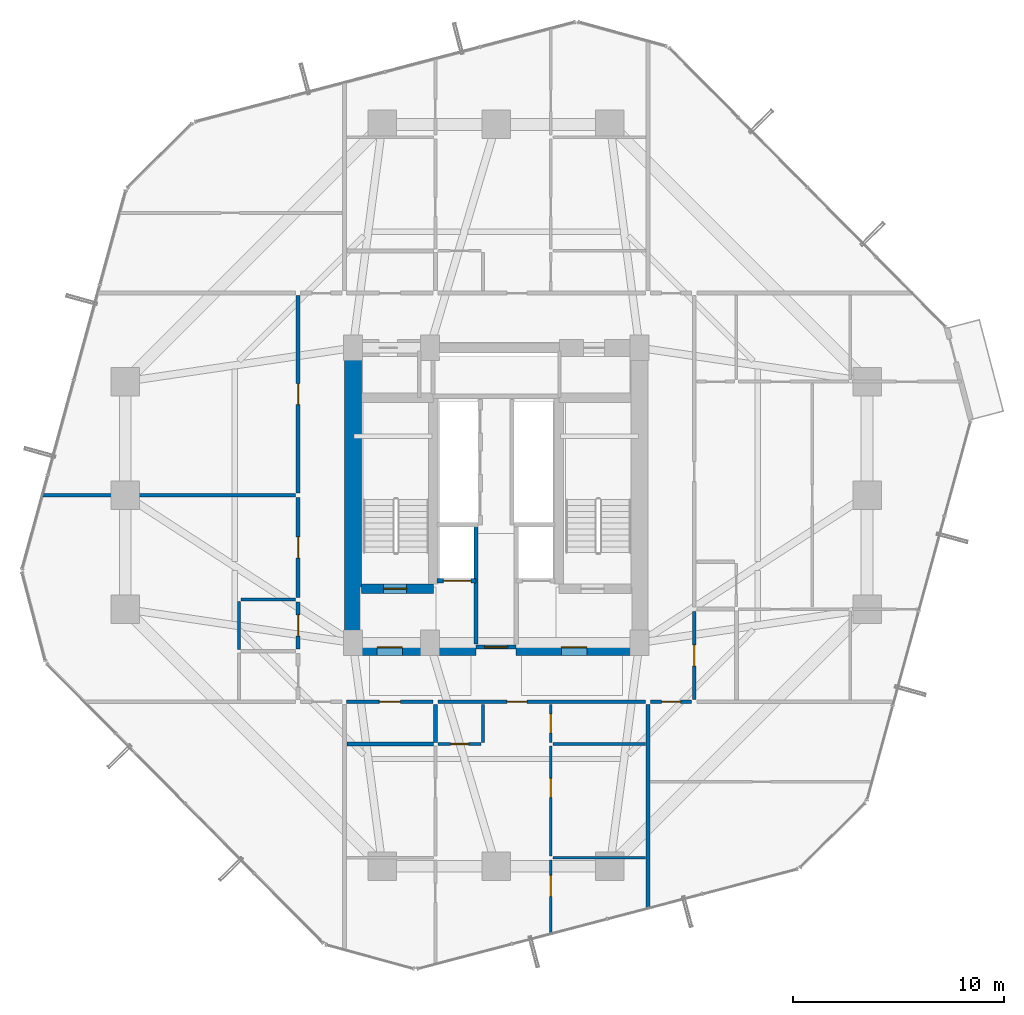
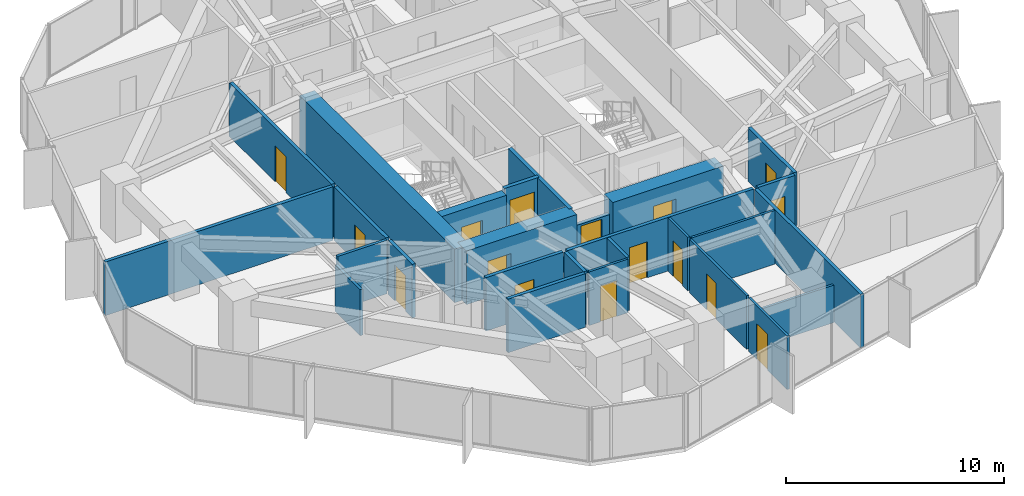
# One storey, part 34 of 39: 27 walls, 16 doors, 16 openings.
"""IFC4 building model written with IfcOpenShell, lengths in metres."""

from ifc_helpers import new_model, si_unit, direction, frame, frame_2d, origin, place, context, subcontext, project, spatial, rectangle, extrude, source, transform, mapped, material, layer, layer_set, type_object, element, fill, save


model = new_model("IFC4")

# Units and contexts
model_context = context("Model", 3, precision=1e-05, world=origin(), true_north=direction((0.0, 1.0)))
body_context = subcontext(model_context, "Body", "Model", "MODEL_VIEW")
ifc_project = project(units=[si_unit("LENGTHUNIT", "METRE"), si_unit("AREAUNIT", "SQUARE_METRE"), si_unit("VOLUMEUNIT", "CUBIC_METRE"), si_unit("PLANEANGLEUNIT", "RADIAN"), si_unit("MASSUNIT", "GRAM", prefix="KILO")], contexts=[model_context])

# Site, building, storey
site_placement = place(None, origin())
site = spatial("IfcSite", under=ifc_project, at=site_placement, CompositionType="ELEMENT")
building_placement = place(site_placement, origin())
building = spatial("IfcBuilding", under=site, at=building_placement, Name="Veraguas Prism Commons", CompositionType="ELEMENT")
storey_placement = place(building_placement, frame((0.0, 0.0, 73.85009765625)))
storey = spatial("IfcBuildingStorey", under=building, at=storey_placement, Name="L20", CompositionType="ELEMENT", Elevation=73.85009765625)

# Wall, opening, door
ifc_material_1 = material(Name="Concrete C60/75", Category="concrete")
ifc_layer_1 = layer(ifc_material_1, 0.449951171875, Name="Core Internal Shear Wall Lower RC 450", Category="concrete")
ifc_layer_set_1 = layer_set([ifc_layer_1], Name="Concrete C60/75")
wall_type_1 = type_object("IfcWallType", Name="Core Internal Shear Wall Lower RC 450", PredefinedType="SHEAR", material=ifc_layer_set_1)
wall_1_placement = place(storey_placement, frame((17.60009765625, 19.574951171875, 0.0), z_axis=(0.0, 0.0, 1.0), x_axis=(1.0, 0.0, 0.0)))
wall_1 = element("IfcWall", 1, at=wall_1_placement, inside=storey, type_object=wall_type_1, Name="Stair ST-01 South Shear Wall L20", PredefinedType="SHEAR", context=body_context, shape_type="SweptSolid", body=[
    extrude(rectangle(XDim=3.4248046875, YDim=0.449951171875, at=frame_2d((1.71240234375, 0.0))), origin(), (0.0, 0.0, 1.0), 3.0),
])
opening_1_placement = place(wall_1_placement, frame((1.050048828125, 0.0, 0.0)))
opening_1 = element("IfcOpeningElement", 2, at=opening_1_placement, cuts=wall_1, Name="Opening DR-05", PredefinedType="OPENING", context=body_context, shape_type="SweptSolid", body=[
    extrude(rectangle(XDim=1.10009765625, YDim=2.030029296875, at=frame_2d((0.550048828125, 1.01513671875))), frame((0.0, 0.23486328125, 0.0), z_axis=(0.0, -1.0, 0.0), x_axis=(1.0, 0.0, 0.0)), (0.0, 0.0, 1.0), 0.469970703125),
])
ifc_material_2 = material(Name="Steel fire-rated door assembly", Category="steel")
door_type_1 = type_object("IfcDoorType", Name="Protected Stair and Refuge Fire Door 1100x2030", OperationType="NOTDEFINED", PredefinedType="DOOR", material=ifc_material_2)
shared_shape_1 = source(origin(), body_context, "Body", "SweptSolid", [
    extrude(rectangle(XDim=1.10009765625, YDim=2.030029296875, at=frame_2d((0.550048828125, 1.01513671875))), frame((0.0, 0.02490234375, 0.0), z_axis=(0.0, -1.0, 0.0), x_axis=(1.0, 0.0, 0.0)), (0.0, 0.0, 1.0), 0.050048828125),
])
door_1_placement = place(opening_1_placement, origin())
door_1 = element("IfcDoor", 3, at=door_1_placement, inside=storey, type_object=door_type_1, Name="Stair ST-01 Enclosure Door L20", OperationType="SINGLE_SWING_RIGHT", OverallHeight=2.030029296875, OverallWidth=1.10009765625, PredefinedType="DOOR", context=body_context, shape_type="MappedRepresentation", body=[
    mapped(shared_shape_1, transform((0.0, 0.0, 0.0), scale=1.0)),
])
fill(opening_1, door_1)

# Wall
ifc_layer_2 = layer(ifc_material_1, 0.800048828125, Name="Core Outer Shear Wall Lower RC 800", Category="concrete")
ifc_layer_set_2 = layer_set([ifc_layer_2], Name="Concrete C60/75")
wall_type_2 = type_object("IfcWallType", Name="Core Outer Shear Wall Lower RC 800", PredefinedType="SHEAR", material=ifc_layer_set_2)
wall_2_placement = place(storey_placement, frame((17.199951171875, 16.800048828125, 0.0), z_axis=(0.0, 0.0, 1.0), x_axis=(0.0, 1.0, 0.0)))
element("IfcWall", 4, at=wall_2_placement, inside=storey, type_object=wall_type_2, Name="Central Core West Shear Wall L20", PredefinedType="SHEAR", context=body_context, shape_type="SweptSolid", body=[
    extrude(rectangle(XDim=14.199951171875, YDim=0.800048828125, at=frame_2d((7.10009765625, 0.0))), origin(), (0.0, 0.0, 1.0), 3.0),
])

# Wall, opening, door
wall_3_placement = place(storey_placement, frame((17.199951171875, 16.800048828125, 0.0), z_axis=(0.0, 0.0, 1.0), x_axis=(1.0, 0.0, 0.0)))
wall_3 = element("IfcWall", 5, at=wall_3_placement, inside=storey, type_object=wall_type_2, Name="Central Core South-West Shear Wall L20", PredefinedType="SHEAR", context=body_context, shape_type="SweptSolid", body=[
    extrude(rectangle(XDim=5.85009765625, YDim=0.800048828125, at=frame_2d((2.925048828125, 0.0))), origin(), (0.0, 0.0, 1.0), 3.0),
])
opening_2_placement = place(wall_3_placement, frame((1.14990234375, 0.0, 0.0)))
opening_2 = element("IfcOpeningElement", 6, at=opening_2_placement, cuts=wall_3, Name="Opening DR-06", PredefinedType="OPENING", context=body_context, shape_type="SweptSolid", body=[
    extrude(rectangle(XDim=1.199951171875, YDim=2.030029296875, at=frame_2d((0.60009765625, 1.01513671875))), frame((0.0, 0.409912109375, 0.0), z_axis=(0.0, -1.0, 0.0), x_axis=(1.0, 0.0, 0.0)), (0.0, 0.0, 1.0), 0.820068359375),
])
door_type_2 = type_object("IfcDoorType", Name="Firefighting Lobby Smoke Door 1200x2030", OperationType="NOTDEFINED", PredefinedType="DOOR", material=ifc_material_2)
shared_shape_2 = source(origin(), body_context, "Body", "SweptSolid", [
    extrude(rectangle(XDim=1.199951171875, YDim=2.030029296875, at=frame_2d((0.60009765625, 1.01513671875))), frame((0.0, 0.02490234375, 0.0), z_axis=(0.0, -1.0, 0.0), x_axis=(1.0, 0.0, 0.0)), (0.0, 0.0, 1.0), 0.050048828125),
])
door_2_placement = place(opening_2_placement, origin())
door_2 = element("IfcDoor", 7, at=door_2_placement, inside=storey, type_object=door_type_2, Name="West FF Lobby Door L20", OperationType="SINGLE_SWING_LEFT", OverallHeight=2.030029296875, OverallWidth=1.199951171875, PredefinedType="DOOR", context=body_context, shape_type="MappedRepresentation", body=[
    mapped(shared_shape_2, transform((0.0, 0.0, 0.0), scale=1.0)),
])
fill(opening_2, door_2)

wall_4_placement = place(storey_placement, frame((24.949951171875, 16.800048828125, 0.0), z_axis=(0.0, 0.0, 1.0), x_axis=(1.0, 0.0, 0.0)))
wall_4 = element("IfcWall", 8, at=wall_4_placement, inside=storey, type_object=wall_type_2, Name="Central Core South-East Shear Wall L20", PredefinedType="SHEAR", context=body_context, shape_type="SweptSolid", body=[
    extrude(rectangle(XDim=5.85009765625, YDim=0.800048828125, at=frame_2d((2.925048828125, 0.0))), origin(), (0.0, 0.0, 1.0), 3.0),
])
opening_3_placement = place(wall_4_placement, frame((2.14990234375, 0.0, 0.0)))
opening_3 = element("IfcOpeningElement", 9, at=opening_3_placement, cuts=wall_4, Name="Opening DR-06", PredefinedType="OPENING", context=body_context, shape_type="SweptSolid", body=[
    extrude(rectangle(XDim=1.199951171875, YDim=2.030029296875, at=frame_2d((0.60009765625, 1.01513671875))), frame((0.0, 0.409912109375, 0.0), z_axis=(0.0, -1.0, 0.0), x_axis=(1.0, 0.0, 0.0)), (0.0, 0.0, 1.0), 0.820068359375),
])
door_3_placement = place(opening_3_placement, origin())
door_3 = element("IfcDoor", 10, at=door_3_placement, inside=storey, type_object=door_type_2, Name="East FF Lobby Door L20", OperationType="SINGLE_SWING_LEFT", OverallHeight=2.030029296875, OverallWidth=1.199951171875, PredefinedType="DOOR", context=body_context, shape_type="MappedRepresentation", body=[
    mapped(shared_shape_2, transform((0.0, 0.0, 0.0), scale=1.0)),
])
fill(opening_3, door_3)

# Wall
ifc_material_3 = material(Name="Autoclaved aerated masonry block 10 MPa", Category="masonry")
ifc_layer_3 = layer(ifc_material_3, 0.179931640625, Name="Corridor and Inter-Tenancy Partition 180", Category="masonry")
ifc_layer_set_3 = layer_set([ifc_layer_3], Name="Autoclaved aerated masonry block 10 MPa")
wall_type_3 = type_object("IfcWallType", Name="Corridor and Inter-Tenancy Partition 180", PredefinedType="PARTITIONING", material=ifc_layer_set_3)
wall_5_placement = place(storey_placement, frame((31.199951171875, 14.080078125, 0.0), z_axis=(0.0, 0.0, 1.0), x_axis=(0.0, -1.0, 0.0)))
element("IfcWall", 11, at=wall_5_placement, inside=storey, type_object=wall_type_3, Name="WL-L20-PT002", PredefinedType="PARTITIONING", context=body_context, shape_type="SweptSolid", body=[
    extrude(rectangle(XDim=9.710205078125, YDim=0.179931640625, at=frame_2d((4.85498046875, 0.0))), origin(), (0.0, 0.0, 1.0), 3.0),
])

# Wall, opening, door
wall_6_placement = place(storey_placement, frame((16.909912109375, 14.199951171875, 0.0), z_axis=(0.0, 0.0, 1.0), x_axis=(1.0, 0.0, 0.0)))
wall_6 = element("IfcWall", 12, at=wall_6_placement, inside=storey, type_object=wall_type_3, Name="WL-L20-PT003", PredefinedType="PARTITIONING", context=body_context, shape_type="SweptSolid", body=[
    extrude(rectangle(XDim=4.10009765625, YDim=0.179931640625, at=frame_2d((2.050048828125, 0.0))), origin(), (0.0, 0.0, 1.0), 3.0),
])
opening_4_placement = place(wall_6_placement, frame((1.550048828125, 0.0, 0.0)))
opening_4 = element("IfcOpeningElement", 13, at=opening_4_placement, cuts=wall_6, Name="Opening DR-13", PredefinedType="OPENING", context=body_context, shape_type="SweptSolid", body=[
    extrude(rectangle(XDim=1.0, YDim=2.010009765625, at=frame_2d((0.5, 1.0048828125))), frame((0.0, 0.099853515625, 0.0), z_axis=(0.0, -1.0, 0.0), x_axis=(1.0, 0.0, 0.0)), (0.0, 0.0, 1.0), 0.199951171875),
])
door_type_3 = type_object("IfcDoorType", Name="Core Accessible WC and Clinic Fire Door 1000x2010", OperationType="NOTDEFINED", PredefinedType="DOOR", material=ifc_material_2)
shared_shape_3 = source(origin(), body_context, "Body", "SweptSolid", [
    extrude(rectangle(XDim=1.0, YDim=2.010009765625, at=frame_2d((0.5, 1.0048828125))), frame((0.0, 0.02490234375, 0.0), z_axis=(0.0, -1.0, 0.0), x_axis=(1.0, 0.0, 0.0)), (0.0, 0.0, 1.0), 0.050048828125),
])
door_4_placement = place(opening_4_placement, origin())
door_4 = element("IfcDoor", 14, at=door_4_placement, inside=storey, type_object=door_type_3, Name="Residents Study Alcove 20A Door", OperationType="SINGLE_SWING_RIGHT", OverallHeight=2.010009765625, OverallWidth=1.0, PredefinedType="DOOR", context=body_context, shape_type="MappedRepresentation", body=[
    mapped(shared_shape_3, transform((0.0, 0.0, 0.0), scale=1.0)),
])
fill(opening_4, door_4)

wall_7_placement = place(storey_placement, frame((21.22998046875, 14.199951171875, 0.0), z_axis=(0.0, 0.0, 1.0), x_axis=(1.0, 0.0, 0.0)))
wall_7 = element("IfcWall", 15, at=wall_7_placement, inside=storey, type_object=wall_type_3, Name="WL-L20-PT004", PredefinedType="PARTITIONING", context=body_context, shape_type="SweptSolid", body=[
    extrude(rectangle(XDim=9.860107421875, YDim=0.179931640625, at=frame_2d((4.93017578125, 0.0))), origin(), (0.0, 0.0, 1.0), 3.0),
])
opening_5_placement = place(wall_7_placement, frame((3.27587890625, 0.0, 0.0)))
opening_5 = element("IfcOpeningElement", 16, at=opening_5_placement, cuts=wall_7, Name="Opening DR-01", PredefinedType="OPENING", context=body_context, shape_type="SweptSolid", body=[
    extrude(rectangle(XDim=0.949951171875, YDim=2.02001953125, at=frame_2d((0.47509765625, 1.010009765625))), frame((0.0, 0.099853515625, 0.0), z_axis=(0.0, -1.0, 0.0), x_axis=(1.0, 0.0, 0.0)), (0.0, 0.0, 1.0), 0.199951171875),
])
ifc_material_4 = material(Name="Anodised aluminium EN AW-6063 T6", Category="aluminium")
door_type_4 = type_object("IfcDoorType", Name="Apartment Entrance Fire Door 950x2020", OperationType="NOTDEFINED", PredefinedType="DOOR", material=ifc_material_4)
shared_shape_4 = source(origin(), body_context, "Body", "SweptSolid", [
    extrude(rectangle(XDim=0.949951171875, YDim=2.02001953125, at=frame_2d((0.47509765625, 1.010009765625))), frame((0.0, 0.02490234375, 0.0), z_axis=(0.0, -1.0, 0.0), x_axis=(1.0, 0.0, 0.0)), (0.0, 0.0, 1.0), 0.050048828125),
])
door_5_placement = place(opening_5_placement, origin())
door_5 = element("IfcDoor", 17, at=door_5_placement, inside=storey, type_object=door_type_4, Name="Flat 20A Entrance Door", OperationType="SINGLE_SWING_LEFT", OverallHeight=2.02001953125, OverallWidth=0.949951171875, PredefinedType="DOOR", context=body_context, shape_type="MappedRepresentation", body=[
    mapped(shared_shape_4, transform((0.0, 0.0, 0.0), scale=1.0)),
])
fill(opening_5, door_5)

# Walls
wall_8_placement = place(storey_placement, frame((16.919921875, 12.199951171875, 0.0), z_axis=(0.0, 0.0, 1.0), x_axis=(1.0, 0.0, 0.0)))
element("IfcWall", 18, at=wall_8_placement, inside=storey, type_object=wall_type_3, Name="WL-L20-PT009", PredefinedType="PARTITIONING", context=body_context, shape_type="SweptSolid", body=[
    extrude(rectangle(XDim=4.10009765625, YDim=0.179931640625, at=frame_2d((2.050048828125, 0.0))), origin(), (0.0, 0.0, 1.0), 3.0),
])
wall_9_placement = place(storey_placement, frame((21.1201171875, 14.080078125, 0.0), z_axis=(0.0, 0.0, 1.0), x_axis=(0.0, -1.0, 0.0)))
element("IfcWall", 19, at=wall_9_placement, inside=storey, type_object=wall_type_3, Name="WL-L20-PT010", PredefinedType="PARTITIONING", context=body_context, shape_type="SweptSolid", body=[
    extrude(rectangle(XDim=1.800048828125, YDim=0.179931640625, at=frame_2d((0.89990234375, 0.0))), origin(), (0.0, 0.0, 1.0), 3.0),
])

# Wall, opening, door
wall_10_placement = place(storey_placement, frame((14.60009765625, 16.7099609375, 0.0), z_axis=(0.0, 0.0, 1.0), x_axis=(0.0, 1.0, 0.0)))
wall_10 = element("IfcWall", 20, at=wall_10_placement, inside=storey, type_object=wall_type_3, Name="WL-L20-PT036", PredefinedType="PARTITIONING", context=body_context, shape_type="SweptSolid", body=[
    extrude(rectangle(XDim=2.22998046875, YDim=0.179931640625, at=frame_2d((1.114990234375, 0.0))), origin(), (0.0, 0.0, 1.0), 3.0),
])
opening_6_placement = place(wall_10_placement, frame((0.614990234375, 0.0, 0.0)))
opening_6 = element("IfcOpeningElement", 21, at=opening_6_placement, cuts=wall_10, Name="Opening DR-13", PredefinedType="OPENING", context=body_context, shape_type="SweptSolid", body=[
    extrude(rectangle(XDim=1.0, YDim=2.010009765625, at=frame_2d((0.5, 1.0048828125))), frame((0.0, 0.099853515625, 0.0), z_axis=(0.0, -1.0, 0.0), x_axis=(1.0, 0.0, 0.0)), (0.0, 0.0, 1.0), 0.199951171875),
])
door_6_placement = place(opening_6_placement, origin())
door_6 = element("IfcDoor", 22, at=door_6_placement, inside=storey, type_object=door_type_3, Name="Accessible WC L20 Door", OperationType="SINGLE_SWING_LEFT", OverallHeight=2.010009765625, OverallWidth=1.0, PredefinedType="DOOR", context=body_context, shape_type="MappedRepresentation", body=[
    mapped(shared_shape_3, transform((0.0, 0.0, 0.0), scale=1.0)),
])
fill(opening_6, door_6)

wall_11_placement = place(storey_placement, frame((14.60009765625, 19.159912109375, 0.0), z_axis=(0.0, 0.0, 1.0), x_axis=(0.0, 1.0, 0.0)))
wall_11 = element("IfcWall", 23, at=wall_11_placement, inside=storey, type_object=wall_type_3, Name="WL-L20-PT037", PredefinedType="PARTITIONING", context=body_context, shape_type="SweptSolid", body=[
    extrude(rectangle(XDim=4.72998046875, YDim=0.179931640625, at=frame_2d((2.364990234375, 0.0))), origin(), (0.0, 0.0, 1.0), 3.0),
])
opening_7_placement = place(wall_11_placement, frame((1.864990234375, 0.0, 0.0)))
opening_7 = element("IfcOpeningElement", 24, at=opening_7_placement, cuts=wall_11, Name="Opening DR-13", PredefinedType="OPENING", context=body_context, shape_type="SweptSolid", body=[
    extrude(rectangle(XDim=1.0, YDim=2.010009765625, at=frame_2d((0.5, 1.0048828125))), frame((0.0, 0.099853515625, 0.0), z_axis=(0.0, -1.0, 0.0), x_axis=(1.0, 0.0, 0.0)), (0.0, 0.0, 1.0), 0.199951171875),
])
door_7_placement = place(opening_7_placement, origin())
door_7 = element("IfcDoor", 25, at=door_7_placement, inside=storey, type_object=door_type_3, Name="Quiet Study L20 Door", OperationType="SINGLE_SWING_RIGHT", OverallHeight=2.010009765625, OverallWidth=1.0, PredefinedType="DOOR", context=body_context, shape_type="MappedRepresentation", body=[
    mapped(shared_shape_3, transform((0.0, 0.0, 0.0), scale=1.0)),
])
fill(opening_7, door_7)

wall_12_placement = place(storey_placement, frame((14.60009765625, 24.110107421875, 0.0), z_axis=(0.0, 0.0, 1.0), x_axis=(0.0, 1.0, 0.0)))
wall_12 = element("IfcWall", 26, at=wall_12_placement, inside=storey, type_object=wall_type_3, Name="WL-L20-PT038", PredefinedType="PARTITIONING", context=body_context, shape_type="SweptSolid", body=[
    extrude(rectangle(XDim=9.3798828125, YDim=0.179931640625, at=frame_2d((4.68994140625, 0.0))), origin(), (0.0, 0.0, 1.0), 3.0),
])
opening_8_placement = place(wall_12_placement, frame((4.18994140625, 0.0, 0.0)))
opening_8 = element("IfcOpeningElement", 27, at=opening_8_placement, cuts=wall_12, Name="Opening DR-13", PredefinedType="OPENING", context=body_context, shape_type="SweptSolid", body=[
    extrude(rectangle(XDim=1.0, YDim=2.010009765625, at=frame_2d((0.5, 1.0048828125))), frame((0.0, 0.099853515625, 0.0), z_axis=(0.0, -1.0, 0.0), x_axis=(1.0, 0.0, 0.0)), (0.0, 0.0, 1.0), 0.199951171875),
])
door_8_placement = place(opening_8_placement, origin())
door_8 = element("IfcDoor", 28, at=door_8_placement, inside=storey, type_object=door_type_3, Name="Reading Lounge L20 Door", OperationType="SINGLE_SWING_LEFT", OverallHeight=2.010009765625, OverallWidth=1.0, PredefinedType="DOOR", context=body_context, shape_type="MappedRepresentation", body=[
    mapped(shared_shape_3, transform((0.0, 0.0, 0.0), scale=1.0)),
])
fill(opening_8, door_8)

# Wall
wall_13_placement = place(storey_placement, frame((14.47998046875, 24.0, 0.0), z_axis=(0.0, 0.0, 1.0), x_axis=(-1.0, 0.0, 0.0)))
element("IfcWall", 29, at=wall_13_placement, inside=storey, type_object=wall_type_3, Name="WL-L20-PT043", PredefinedType="PARTITIONING", context=body_context, shape_type="SweptSolid", body=[
    extrude(rectangle(XDim=12.0595703125, YDim=0.179931640625, at=frame_2d((6.02978515625, 0.0))), origin(), (0.0, 0.0, 1.0), 3.0),
])

# Wall, opening, door
wall_14_placement = place(storey_placement, frame((33.39990234375, 14.31005859375, 0.0), z_axis=(0.0, 0.0, 1.0), x_axis=(0.0, 1.0, 0.0)))
wall_14 = element("IfcWall", 30, at=wall_14_placement, inside=storey, type_object=wall_type_3, Name="WL-L20-PT046", PredefinedType="PARTITIONING", context=body_context, shape_type="SweptSolid", body=[
    extrude(rectangle(XDim=4.179931640625, YDim=0.179931640625, at=frame_2d((2.08984375, 0.0))), origin(), (0.0, 0.0, 1.0), 3.0),
])
opening_9_placement = place(wall_14_placement, frame((1.590087890625, 0.0, 0.0)))
opening_9 = element("IfcOpeningElement", 31, at=opening_9_placement, cuts=wall_14, Name="Opening DR-13", PredefinedType="OPENING", context=body_context, shape_type="SweptSolid", body=[
    extrude(rectangle(XDim=1.0, YDim=2.010009765625, at=frame_2d((0.5, 1.0048828125))), frame((0.0, 0.099853515625, 0.0), z_axis=(0.0, -1.0, 0.0), x_axis=(1.0, 0.0, 0.0)), (0.0, 0.0, 1.0), 0.199951171875),
])
door_9_placement = place(opening_9_placement, origin())
door_9 = element("IfcDoor", 32, at=door_9_placement, inside=storey, type_object=door_type_3, Name="Residents Study Alcove 20C Door", OperationType="SINGLE_SWING_RIGHT", OverallHeight=2.010009765625, OverallWidth=1.0, PredefinedType="DOOR", context=body_context, shape_type="MappedRepresentation", body=[
    mapped(shared_shape_3, transform((0.0, 0.0, 0.0), scale=1.0)),
])
fill(opening_9, door_9)

wall_15_placement = place(storey_placement, frame((31.320068359375, 14.199951171875, 0.0), z_axis=(0.0, 0.0, 1.0), x_axis=(1.0, 0.0, 0.0)))
wall_15 = element("IfcWall", 33, at=wall_15_placement, inside=storey, type_object=wall_type_3, Name="WL-L20-PT062", PredefinedType="PARTITIONING", context=body_context, shape_type="SweptSolid", body=[
    extrude(rectangle(XDim=1.9599609375, YDim=0.179931640625, at=frame_2d((0.97998046875, 0.0))), origin(), (0.0, 0.0, 1.0), 3.0),
])
opening_10_placement = place(wall_15_placement, frame((0.530029296875, 0.0, 0.0)))
opening_10 = element("IfcOpeningElement", 34, at=opening_10_placement, cuts=wall_15, Name="Opening DR-14", PredefinedType="OPENING", context=body_context, shape_type="SweptSolid", body=[
    extrude(rectangle(XDim=0.89990234375, YDim=2.010009765625, at=frame_2d((0.449951171875, 1.0048828125))), frame((0.0, 0.099853515625, 0.0), z_axis=(0.0, -1.0, 0.0), x_axis=(1.0, 0.0, 0.0)), (0.0, 0.0, 1.0), 0.199951171875),
])
door_type_5 = type_object("IfcDoorType", Name="Core Service Room Fire Door 900x2010", OperationType="NOTDEFINED", PredefinedType="DOOR", material=ifc_material_2)
shared_shape_5 = source(origin(), body_context, "Body", "SweptSolid", [
    extrude(rectangle(XDim=0.89990234375, YDim=2.010009765625, at=frame_2d((0.449951171875, 1.0048828125))), frame((0.0, 0.02490234375, 0.0), z_axis=(0.0, -1.0, 0.0), x_axis=(1.0, 0.0, 0.0)), (0.0, 0.0, 1.0), 0.050048828125),
])
door_10_placement = place(opening_10_placement, origin())
door_10 = element("IfcDoor", 35, at=door_10_placement, inside=storey, type_object=door_type_5, Name="Shared Laundry Room Door", OperationType="SINGLE_SWING_RIGHT", OverallHeight=2.010009765625, OverallWidth=0.89990234375, PredefinedType="DOOR", context=body_context, shape_type="MappedRepresentation", body=[
    mapped(shared_shape_5, transform((0.0, 0.0, 0.0), scale=1.0)),
])
fill(opening_10, door_10)

# Wall
ifc_material_5 = material(Name="Lightweight acoustic gypsum board")
ifc_layer_4 = layer(ifc_material_5, 0.125, Name="Internal Apartment Room Partition 125")
ifc_layer_set_4 = layer_set([ifc_layer_4], Name="Lightweight acoustic gypsum board")
wall_type_4 = type_object("IfcWallType", Name="Internal Apartment Room Partition 125", PredefinedType="PARTITIONING", material=ifc_layer_set_4)
wall_16_placement = place(storey_placement, frame((26.69189453125, 6.800048828125, 0.0), z_axis=(0.0, 0.0, 1.0), x_axis=(1.0, 0.0, 0.0)))
element("IfcWall", 36, at=wall_16_placement, inside=storey, type_object=wall_type_4, Name="WL-L20-PT007", PredefinedType="PARTITIONING", context=body_context, shape_type="SweptSolid", body=[
    extrude(rectangle(XDim=4.38818359375, YDim=0.125, at=frame_2d((2.194091796875, 0.0))), origin(), (0.0, 0.0, 1.0), 2.099853515625),
])

# Wall, opening, door
wall_17_placement = place(storey_placement, frame((26.592041015625, 6.699951171875, 0.0), z_axis=(0.0, 0.0, 1.0), x_axis=(0.0, -1.0, 0.0)))
wall_17 = element("IfcWall", 37, at=wall_17_placement, inside=storey, type_object=wall_type_4, Name="WL-L20-PT008", PredefinedType="PARTITIONING", context=body_context, shape_type="SweptSolid", body=[
    extrude(rectangle(XDim=3.5390625, YDim=0.125, at=frame_2d((1.76953125, 0.0))), origin(), (0.0, 0.0, 1.0), 3.0),
])
opening_11_placement = place(wall_17_placement, frame((0.73486328125, 0.0, 0.0)))
opening_11 = element("IfcOpeningElement", 38, at=opening_11_placement, cuts=wall_17, Name="Opening DR-04", PredefinedType="OPENING", context=body_context, shape_type="SweptSolid", body=[
    extrude(rectangle(XDim=1.0, YDim=2.010009765625, at=frame_2d((0.5, 1.0048828125))), frame((0.0, 0.072509765625, 0.0), z_axis=(0.0, -1.0, 0.0), x_axis=(1.0, 0.0, 0.0)), (0.0, 0.0, 1.0), 0.14501953125),
])
door_type_6 = type_object("IfcDoorType", Name="Accessible WC and Clinic Exam Door 1000x2010", OperationType="NOTDEFINED", PredefinedType="DOOR", material=ifc_material_4)
door_11_placement = place(opening_11_placement, origin())
door_11 = element("IfcDoor", 39, at=door_11_placement, inside=storey, type_object=door_type_6, Name="Flat 20A Study Door", OperationType="SINGLE_SWING_LEFT", OverallHeight=2.010009765625, OverallWidth=1.0, PredefinedType="DOOR", context=body_context, shape_type="MappedRepresentation", body=[
    mapped(shared_shape_3, transform((0.0, 0.0, 0.0), scale=1.0)),
])
fill(opening_11, door_11)

wall_18_placement = place(storey_placement, frame((21.239990234375, 12.199951171875, 0.0), z_axis=(0.0, 0.0, 1.0), x_axis=(1.0, 0.0, 0.0)))
wall_18 = element("IfcWall", 40, at=wall_18_placement, inside=storey, type_object=wall_type_4, Name="WL-L20-PT013", PredefinedType="PARTITIONING", context=body_context, shape_type="SweptSolid", body=[
    extrude(rectangle(XDim=2.050048828125, YDim=0.125, at=frame_2d((1.02490234375, 0.0))), origin(), (0.0, 0.0, 1.0), 3.0),
])
opening_12_placement = place(wall_18_placement, frame((0.594970703125, 0.0, 0.0)))
opening_12 = element("IfcOpeningElement", 41, at=opening_12_placement, cuts=wall_18, Name="Opening DR-03", PredefinedType="OPENING", context=body_context, shape_type="SweptSolid", body=[
    extrude(rectangle(XDim=0.860107421875, YDim=2.010009765625, at=frame_2d((0.43017578125, 1.0048828125))), frame((0.0, 0.072509765625, 0.0), z_axis=(0.0, -1.0, 0.0), x_axis=(1.0, 0.0, 0.0)), (0.0, 0.0, 1.0), 0.14501953125),
])
ifc_material_6 = material(Name="Timber moisture-resistant leaf", Category="wood")
door_type_7 = type_object("IfcDoorType", Name="Internal Bathroom Door 860x2010", OperationType="NOTDEFINED", PredefinedType="DOOR", material=ifc_material_6)
shared_shape_6 = source(origin(), body_context, "Body", "SweptSolid", [
    extrude(rectangle(XDim=0.860107421875, YDim=2.010009765625, at=frame_2d((0.43017578125, 1.0048828125))), frame((0.0, 0.02490234375, 0.0), z_axis=(0.0, -1.0, 0.0), x_axis=(1.0, 0.0, 0.0)), (0.0, 0.0, 1.0), 0.050048828125),
])
door_12_placement = place(opening_12_placement, origin())
door_12 = element("IfcDoor", 42, at=door_12_placement, inside=storey, type_object=door_type_7, Name="Flat 20A Bathroom Door", OperationType="SINGLE_SWING_LEFT", OverallHeight=2.010009765625, OverallWidth=0.860107421875, PredefinedType="DOOR", context=body_context, shape_type="MappedRepresentation", body=[
    mapped(shared_shape_6, transform((0.0, 0.0, 0.0), scale=1.0)),
])
fill(opening_12, door_12)

wall_19_placement = place(storey_placement, frame((26.592041015625, 14.080078125, 0.0), z_axis=(0.0, 0.0, 1.0), x_axis=(0.0, -1.0, 0.0)))
wall_19 = element("IfcWall", 43, at=wall_19_placement, inside=storey, type_object=wall_type_4, Name="WL-L20-PT014", PredefinedType="PARTITIONING", context=body_context, shape_type="SweptSolid", body=[
    extrude(rectangle(XDim=1.800048828125, YDim=0.125, at=frame_2d((0.89990234375, 0.0))), origin(), (0.0, 0.0, 1.0), 3.0),
])
opening_13_placement = place(wall_19_placement, frame((0.449951171875, 0.0, 0.0)))
opening_13 = element("IfcOpeningElement", 44, at=opening_13_placement, cuts=wall_19, Name="Opening DR-02", PredefinedType="OPENING", context=body_context, shape_type="SweptSolid", body=[
    extrude(rectangle(XDim=0.89990234375, YDim=2.010009765625, at=frame_2d((0.449951171875, 1.0048828125))), frame((0.0, 0.072509765625, 0.0), z_axis=(0.0, -1.0, 0.0), x_axis=(1.0, 0.0, 0.0)), (0.0, 0.0, 1.0), 0.14501953125),
])
ifc_material_7 = material(Name="Timber solid core hardwood", Category="wood")
door_type_8 = type_object("IfcDoorType", Name="Internal Habitable Room Door 900x2010", OperationType="NOTDEFINED", PredefinedType="DOOR", material=ifc_material_7)
door_13_placement = place(opening_13_placement, origin())
door_13 = element("IfcDoor", 45, at=door_13_placement, inside=storey, type_object=door_type_8, Name="Flat 20A Kitchen Door", OperationType="SINGLE_SWING_RIGHT", OverallHeight=2.010009765625, OverallWidth=0.89990234375, PredefinedType="DOOR", context=body_context, shape_type="MappedRepresentation", body=[
    mapped(shared_shape_5, transform((0.0, 0.0, 0.0), scale=1.0)),
])
fill(opening_13, door_13)

# Wall
wall_20_placement = place(storey_placement, frame((26.69189453125, 12.199951171875, 0.0), z_axis=(0.0, 0.0, 1.0), x_axis=(1.0, 0.0, 0.0)))
element("IfcWall", 46, at=wall_20_placement, inside=storey, type_object=wall_type_4, Name="WL-L20-PT015", PredefinedType="PARTITIONING", context=body_context, shape_type="SweptSolid", body=[
    extrude(rectangle(XDim=4.38818359375, YDim=0.125, at=frame_2d((2.194091796875, 0.0))), origin(), (0.0, 0.0, 1.0), 3.0),
])

# Wall, opening, door
wall_21_placement = place(storey_placement, frame((26.592041015625, 12.10009765625, 0.0), z_axis=(0.0, 0.0, 1.0), x_axis=(0.0, -1.0, 0.0)))
wall_21 = element("IfcWall", 47, at=wall_21_placement, inside=storey, type_object=wall_type_4, Name="WL-L20-PT016", PredefinedType="PARTITIONING", context=body_context, shape_type="SweptSolid", body=[
    extrude(rectangle(XDim=5.22021484375, YDim=0.125, at=frame_2d((2.610107421875, 0.0))), origin(), (0.0, 0.0, 1.0), 3.0),
])
opening_14_placement = place(wall_21_placement, frame((1.53271484375, 0.0, 0.0)))
opening_14 = element("IfcOpeningElement", 48, at=opening_14_placement, cuts=wall_21, Name="Opening DR-02", PredefinedType="OPENING", context=body_context, shape_type="SweptSolid", body=[
    extrude(rectangle(XDim=0.89990234375, YDim=2.010009765625, at=frame_2d((0.449951171875, 1.0048828125))), frame((0.0, 0.072509765625, 0.0), z_axis=(0.0, -1.0, 0.0), x_axis=(1.0, 0.0, 0.0)), (0.0, 0.0, 1.0), 0.14501953125),
])
door_14_placement = place(opening_14_placement, origin())
door_14 = element("IfcDoor", 49, at=door_14_placement, inside=storey, type_object=door_type_8, Name="Flat 20A Bedroom 1 Door", OperationType="SINGLE_SWING_LEFT", OverallHeight=2.010009765625, OverallWidth=0.89990234375, PredefinedType="DOOR", context=body_context, shape_type="MappedRepresentation", body=[
    mapped(shared_shape_5, transform((0.0, 0.0, 0.0), scale=1.0)),
])
fill(opening_14, door_14)

ifc_layer_5 = layer(ifc_material_3, 0.199951171875, Name="Rated Shaft and Lobby Block Wall 200", Category="masonry")
ifc_layer_set_5 = layer_set([ifc_layer_5], Name="Autoclaved aerated masonry block 10 MPa")
wall_type_5 = type_object("IfcWallType", Name="Rated Shaft and Lobby Block Wall 200", PredefinedType="SOLIDWALL", material=ifc_layer_set_5)
wall_22_placement = place(storey_placement, frame((23.050048828125, 16.800048828125, 0.0), z_axis=(0.0, 0.0, 1.0), x_axis=(1.0, 0.0, 0.0)))
wall_22 = element("IfcWall", 50, at=wall_22_placement, inside=storey, type_object=wall_type_5, Name="Central Core Lobby Entrance Wall L20", PredefinedType="SOLIDWALL", context=body_context, shape_type="SweptSolid", body=[
    extrude(rectangle(XDim=1.89990234375, YDim=0.199951171875, at=frame_2d((0.949951171875, 0.0))), origin(), (0.0, 0.0, 1.0), 2.14990234375),
])
opening_15_placement = place(wall_22_placement, frame((0.39990234375, 0.0, 0.0)))
opening_15 = element("IfcOpeningElement", 51, at=opening_15_placement, cuts=wall_22, Name="Opening DR-05", PredefinedType="OPENING", context=body_context, shape_type="SweptSolid", body=[
    extrude(rectangle(XDim=1.10009765625, YDim=2.030029296875, at=frame_2d((0.550048828125, 1.01513671875))), frame((0.0, 0.10986328125, 0.0), z_axis=(0.0, -1.0, 0.0), x_axis=(1.0, 0.0, 0.0)), (0.0, 0.0, 1.0), 0.219970703125),
])
door_15_placement = place(opening_15_placement, origin())
door_15 = element("IfcDoor", 52, at=door_15_placement, inside=storey, type_object=door_type_1, Name="Central Lobby Door L20", OperationType="SINGLE_SWING_RIGHT", OverallHeight=2.030029296875, OverallWidth=1.10009765625, PredefinedType="DOOR", context=body_context, shape_type="MappedRepresentation", body=[
    mapped(shared_shape_1, transform((0.0, 0.0, 0.0), scale=1.0)),
])
fill(opening_15, door_15)

wall_23_placement = place(storey_placement, frame((21.199951171875, 19.949951171875, 0.0), z_axis=(0.0, 0.0, 1.0), x_axis=(1.0, 0.0, 0.0)))
wall_23 = element("IfcWall", 53, at=wall_23_placement, inside=storey, type_object=wall_type_5, Name="Firefighting Lift FFL-1 Front Wall L20", PredefinedType="SOLIDWALL", context=body_context, shape_type="SweptSolid", body=[
    extrude(rectangle(XDim=1.85009765625, YDim=0.199951171875, at=frame_2d((0.925048828125, 0.0))), origin(), (0.0, 0.0, 1.0), 3.0),
])
opening_16_placement = place(wall_23_placement, frame((0.300048828125, 0.0, 0.0)))
opening_16 = element("IfcOpeningElement", 54, at=opening_16_placement, cuts=wall_23, Name="Opening LD-02", PredefinedType="OPENING", context=body_context, shape_type="SweptSolid", body=[
    extrude(rectangle(XDim=1.300048828125, YDim=2.25, at=frame_2d((0.64990234375, 1.125))), frame((0.0, 0.10986328125, 0.0), z_axis=(0.0, -1.0, 0.0), x_axis=(1.0, 0.0, 0.0)), (0.0, 0.0, 1.0), 0.219970703125),
])
ifc_material_8 = material(Name="Stainless steel AISI 316", Category="steel")
door_type_9 = type_object("IfcDoorType", Name="Firefighting Lift Sliding Landing Door 1300x2250", OperationType="NOTDEFINED", PredefinedType="DOOR", material=ifc_material_8)
shared_shape_7 = source(origin(), body_context, "Body", "SweptSolid", [
    extrude(rectangle(XDim=1.300048828125, YDim=2.25, at=frame_2d((0.64990234375, 1.125))), frame((0.0, 0.02490234375, 0.0), z_axis=(0.0, -1.0, 0.0), x_axis=(1.0, 0.0, 0.0)), (0.0, 0.0, 1.0), 0.050048828125),
])
door_16_placement = place(opening_16_placement, origin())
door_16 = element("IfcDoor", 55, at=door_16_placement, inside=storey, type_object=door_type_9, Name="Firefighting Lift FFL-1 Landing Door L20", OperationType="SLIDING_TO_LEFT", OverallHeight=2.25, OverallWidth=1.300048828125, PredefinedType="DOOR", context=body_context, shape_type="MappedRepresentation", body=[
    mapped(shared_shape_7, transform((0.0, 0.0, 0.0), scale=1.0)),
])
fill(opening_16, door_16)

# Walls
wall_24_placement = place(storey_placement, frame((23.050048828125, 16.949951171875, 0.0), z_axis=(0.0, 0.0, 1.0), x_axis=(0.0, 1.0, 0.0)))
element("IfcWall", 56, at=wall_24_placement, inside=storey, type_object=wall_type_5, Name="West FF Lobby Divider Wall L20", PredefinedType="SOLIDWALL", context=body_context, shape_type="SweptSolid", body=[
    extrude(rectangle(XDim=5.60009765625, YDim=0.199951171875, at=frame_2d((2.800048828125, 0.0))), origin(), (0.0, 0.0, 1.0), 3.0),
])
ifc_layer_6 = layer(ifc_material_5, 0.14990234375, Name="Wet Room and Clinic Acoustic Partition 150")
ifc_layer_set_6 = layer_set([ifc_layer_6], Name="Lightweight acoustic gypsum board")
wall_type_6 = type_object("IfcWallType", Name="Wet Room and Clinic Acoustic Partition 150", PredefinedType="PARTITIONING", material=ifc_layer_set_6)
wall_25_placement = place(storey_placement, frame((23.3701171875, 14.080078125, 0.0), z_axis=(0.0, 0.0, 1.0), x_axis=(0.0, -1.0, 0.0)))
element("IfcWall", 57, at=wall_25_placement, inside=storey, type_object=wall_type_6, Name="WL-L20-PT012", PredefinedType="PARTITIONING", context=body_context, shape_type="SweptSolid", body=[
    extrude(rectangle(XDim=1.800048828125, YDim=0.14990234375, at=frame_2d((0.89990234375, 0.0))), origin(), (0.0, 0.0, 1.0), 3.0),
])
wall_26_placement = place(storey_placement, frame((14.47998046875, 19.050048828125, 0.0), z_axis=(0.0, 0.0, 1.0), x_axis=(-1.0, 0.0, 0.0)))
element("IfcWall", 58, at=wall_26_placement, inside=storey, type_object=wall_type_6, Name="WL-L20-PT040", PredefinedType="PARTITIONING", context=body_context, shape_type="SweptSolid", body=[
    extrude(rectangle(XDim=2.60009765625, YDim=0.14990234375, at=frame_2d((1.300048828125, 0.0))), origin(), (0.0, 0.0, 1.0), 3.0),
])
wall_27_placement = place(storey_placement, frame((11.800048828125, 16.679931640625, 0.0), z_axis=(0.0, 0.0, 1.0), x_axis=(0.0, 1.0, 0.0)))
element("IfcWall", 59, at=wall_27_placement, inside=storey, type_object=wall_type_6, Name="WL-L20-PT042", PredefinedType="PARTITIONING", context=body_context, shape_type="SweptSolid", body=[
    extrude(rectangle(XDim=2.2900390625, YDim=0.14990234375, at=frame_2d((1.14501953125, 0.0))), origin(), (0.0, 0.0, 1.0), 2.579833984375),
])

save(model, "model.ifc")
